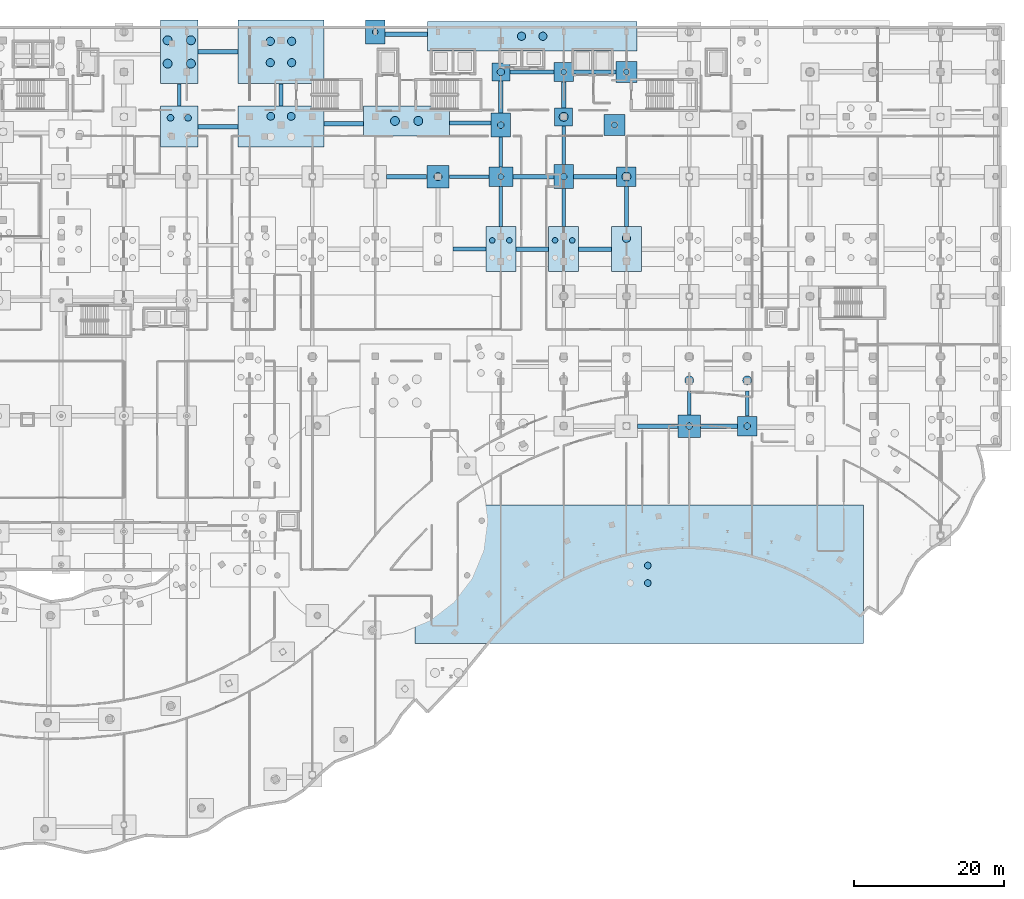
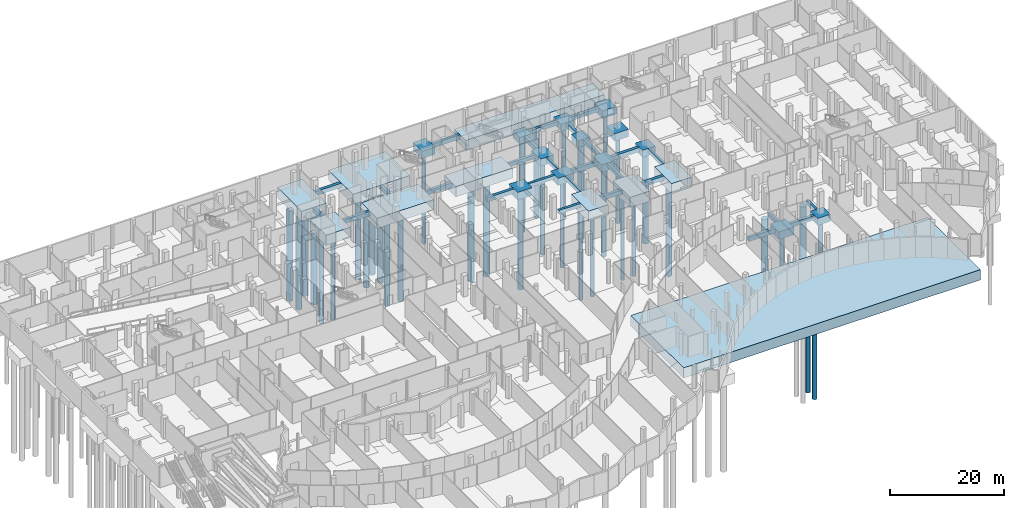
# One storey, part 6 of 45: 50 footings, 38 piles.
"""IFC4 building model written with IfcOpenShell, lengths in metres."""

from ifc_helpers import new_model, si_unit, direction, frame, origin, origin_2d, place, context, subcontext, project, spatial, rectangle, circle, extrude, material, material_profile, profile_set, type_object, element, save


model = new_model("IFC4")

# Units and contexts
model_context = context("Model", 3, precision=1e-05, world=origin(), true_north=direction((0.0, 1.0)))
body_context = subcontext(model_context, "Body", "Model", "MODEL_VIEW")
ifc_project = project(units=[si_unit("LENGTHUNIT", "METRE"), si_unit("AREAUNIT", "SQUARE_METRE"), si_unit("VOLUMEUNIT", "CUBIC_METRE"), si_unit("PLANEANGLEUNIT", "RADIAN"), si_unit("MASSUNIT", "GRAM", prefix="KILO")], contexts=[model_context])

# Site, building, storey
site_placement = place(None, origin())
site = spatial("IfcSite", under=ifc_project, at=site_placement, CompositionType="ELEMENT")
building_placement = place(site_placement, origin())
building = spatial("IfcBuilding", under=site, at=building_placement, Name="Selatvlak General Hospital", CompositionType="ELEMENT")
storey_placement = place(building_placement, frame((0.0, 0.0, -4.800048828125)))
storey = spatial("IfcBuildingStorey", under=building, at=storey_placement, Name="B1", CompositionType="ELEMENT", Elevation=-4.800048828125)

# Footings
ifc_material_1 = material(Name="Concrete C40/50", Category="concrete")
footing_type_1 = type_object("IfcFootingType", Name="FTG-PC-01", PredefinedType="PILE_CAP", material=ifc_material_1)
for number, where, z_axis, x_axis, name in (
    (1, (115.199951171875, 114.0, -1.39990234375), (0.0, 0.0, 1.0), (1.0, 0.0, 0.0), "Pile cap CAP-126"),
    (2, (123.60009765625, 108.0, -1.39990234375), (0.0, 0.0, 1.0), (1.0, 0.0, 0.0), "Pile cap CAP-132"),
):
    element("IfcFooting", number, at=place(storey_placement, frame(where, z_axis=z_axis, x_axis=x_axis)), inside=storey, type_object=footing_type_1, Name=name, PredefinedType="PILE_CAP", context=body_context, shape_type="SweptSolid", body=[
        extrude(rectangle(XDim=2.39990234375, YDim=2.39990234375, at=origin_2d()), origin(), (0.0, 0.0, 1.0), 1.39990234375),
    ])
footing_type_2 = type_object("IfcFootingType", Name="FTG-PC-02", PredefinedType="PILE_CAP", material=ifc_material_1)
for number, where, z_axis, x_axis, name in (
    (3, (123.60009765625, 114.0, -1.5), (0.0, 0.0, 1.0), (1.0, 0.0, 0.0), "Pile cap CAP-133"),
    (4, (132.0, 100.0, -1.5), (0.0, 0.0, 1.0), (1.0, 0.0, 0.0), "Pile cap CAP-139"),
    (5, (148.14990234375, 66.64990234375, -1.5), (0.0, 0.0, 1.0), (1.0, 0.0, 0.0), "Pile cap CAP-151"),
):
    element("IfcFooting", number, at=place(storey_placement, frame(where, z_axis=z_axis, x_axis=x_axis)), inside=storey, type_object=footing_type_2, Name=name, PredefinedType="PILE_CAP", context=body_context, shape_type="SweptSolid", body=[
        extrude(rectangle(XDim=2.60009765625, YDim=2.60009765625, at=origin_2d()), origin(), (0.0, 0.0, 1.0), 1.5),
    ])
footing_type_3 = type_object("IfcFootingType", Name="FTG-PC-03", PredefinedType="PILE_CAP", material=ifc_material_1)
for number, where, z_axis, x_axis, name in (
    (6, (130.39990234375, 106.89990234375, -1.60009765625), (0.0, 0.0, 1.0), (1.0, 0.0, 0.0), "Pile cap CAP-134"),
    (7, (132.0, 114.0, -1.60009765625), (0.0, 0.0, 1.0), (1.0, 0.0, 0.0), "Pile cap CAP-140"),
):
    element("IfcFooting", number, at=place(storey_placement, frame(where, z_axis=z_axis, x_axis=x_axis)), inside=storey, type_object=footing_type_3, Name=name, PredefinedType="PILE_CAP", context=body_context, shape_type="SweptSolid", body=[
        extrude(rectangle(XDim=2.800048828125, YDim=2.800048828125, at=origin_2d()), origin(), (0.0, 0.0, 1.0), 1.60009765625),
    ])
footing_type_4 = type_object("IfcFootingType", Name="FTG-PC-04", PredefinedType="PILE_CAP", material=ifc_material_1)
for number, where, z_axis, x_axis, name in (
    (8, (106.800048828125, 100.0, -1.64990234375), (0.0, 0.0, 1.0), (1.0, 0.0, 0.0), "Pile cap CAP-117"),
    (9, (140.39990234375, 66.64990234375, -1.64990234375), (0.0, 0.0, 1.0), (1.0, 0.0, 0.0), "Pile cap CAP-141"),
):
    element("IfcFooting", number, at=place(storey_placement, frame(where, z_axis=z_axis, x_axis=x_axis)), inside=storey, type_object=footing_type_4, Name=name, PredefinedType="PILE_CAP", context=body_context, shape_type="SweptSolid", body=[
        extrude(rectangle(XDim=3.0, YDim=3.0, at=origin_2d()), origin(), (0.0, 0.0, 1.0), 1.64990234375),
    ])
footing_type_5 = type_object("IfcFootingType", Name="FTG-PC-05", PredefinedType="PILE_CAP", material=ifc_material_1)
footing_1_placement = place(storey_placement, frame((115.199951171875, 100.0, -1.5498046875), z_axis=(0.0, 0.0, 1.0), x_axis=(1.0, 0.0, 0.0)))
element("IfcFooting", 10, at=footing_1_placement, inside=storey, type_object=footing_type_5, Name="Pile cap CAP-124", PredefinedType="PILE_CAP", context=body_context, shape_type="SweptSolid", body=[
    extrude(rectangle(XDim=3.199951171875, YDim=2.60009765625, at=origin_2d()), origin(), (0.0, 0.0, 1.0), 1.550048828125),
])
footing_type_6 = type_object("IfcFootingType", Name="FTG-PC-06", PredefinedType="PILE_CAP", material=ifc_material_1)
for number, where, z_axis, x_axis, name in (
    (11, (98.39990234375, 119.35009765625, -1.5498046875), (0.0, 0.0, 1.0), (1.0, 0.0, 0.0), "Pile cap CAP-113"),
    (12, (115.199951171875, 106.89990234375, -1.5498046875), (0.0, 0.0, 1.0), (1.0, 0.0, 0.0), "Pile cap CAP-125"),
    (13, (123.60009765625, 100.0, -1.5498046875), (0.0, 0.0, 1.0), (1.0, 0.0, 0.0), "Pile cap CAP-131"),
):
    element("IfcFooting", number, at=place(storey_placement, frame(where, z_axis=z_axis, x_axis=x_axis)), inside=storey, type_object=footing_type_6, Name=name, PredefinedType="PILE_CAP", context=body_context, shape_type="SweptSolid", body=[
        extrude(rectangle(XDim=2.60009765625, YDim=3.199951171875, at=origin_2d()), origin(), (0.0, 0.0, 1.0), 1.550048828125),
    ])
footing_type_7 = type_object("IfcFootingType", Name="FTG-PC-20", PredefinedType="PILE_CAP", material=ifc_material_1)
for number, where, z_axis, x_axis, name in (
    (14, (115.199951171875, 90.324951171875, -2.19970703125), (0.0, 0.0, 1.0), (1.0, 0.0, 0.0), "Pile cap CAP-123"),
    (15, (123.60009765625, 90.324951171875, -2.19970703125), (0.0, 0.0, 1.0), (1.0, 0.0, 0.0), "Pile cap CAP-130"),
    (16, (132.0, 90.324951171875, -2.19970703125), (0.0, 0.0, 1.0), (1.0, 0.0, 0.0), "Pile cap CAP-138"),
):
    element("IfcFooting", number, at=place(storey_placement, frame(where, z_axis=z_axis, x_axis=x_axis)), inside=storey, type_object=footing_type_7, Name=name, PredefinedType="PILE_CAP", context=body_context, shape_type="SweptSolid", body=[
        extrude(rectangle(XDim=4.0, YDim=6.0, at=origin_2d()), origin(), (0.0, 0.0, 1.0), 2.199951171875),
    ])
footing_type_8 = type_object("IfcFootingType", Name="FTG-PC-M112", PredefinedType="PILE_CAP", material=ifc_material_1)
footing_2_placement = place(storey_placement, frame((102.60009765625, 107.449951171875, -2.19970703125), z_axis=(0.0, 0.0, 1.0), x_axis=(1.0, 0.0, 0.0)))
element("IfcFooting", 17, at=footing_2_placement, inside=storey, type_object=footing_type_8, Name="Pile cap CAP-112", PredefinedType="PILE_CAP", context=body_context, shape_type="SweptSolid", body=[
    extrude(rectangle(XDim=11.5, YDim=4.0, at=origin_2d()), origin(), (0.0, 0.0, 1.0), 2.199951171875),
])
footing_type_9 = type_object("IfcFootingType", Name="FTG-PC-M115", PredefinedType="PILE_CAP", material=ifc_material_1)
footing_3_placement = place(storey_placement, frame((133.69189453125, 46.825927734375, -2.19970703125), z_axis=(0.0, 0.0, 1.0), x_axis=(1.0, 0.0, 0.0)))
element("IfcFooting", 18, at=footing_3_placement, inside=storey, type_object=footing_type_9, Name="Pile cap CAP-115", PredefinedType="PILE_CAP", context=body_context, shape_type="SweptSolid", body=[
    extrude(rectangle(XDim=60.0, YDim=18.5, at=origin_2d()), origin(), (0.0, 0.0, 1.0), 2.199951171875),
])
footing_type_10 = type_object("IfcFootingType", Name="FTG-PC-M118", PredefinedType="PILE_CAP", material=ifc_material_1)
footing_4_placement = place(storey_placement, frame((119.39990234375, 118.77490234375, -2.19970703125), z_axis=(0.0, 0.0, 1.0), x_axis=(1.0, 0.0, 0.0)))
element("IfcFooting", 19, at=footing_4_placement, inside=storey, type_object=footing_type_10, Name="Pile cap CAP-118", PredefinedType="PILE_CAP", context=body_context, shape_type="SweptSolid", body=[
    extrude(rectangle(XDim=28.0, YDim=4.0, at=origin_2d()), origin(), (0.0, 0.0, 1.0), 2.199951171875),
])
footing_type_11 = type_object("IfcFootingType", Name="FTG-PC-M81", PredefinedType="PILE_CAP", material=ifc_material_1)
footing_5_placement = place(storey_placement, frame((72.199951171875, 106.699951171875, -2.19970703125), z_axis=(0.0, 0.0, 1.0), x_axis=(1.0, 0.0, 0.0)))
element("IfcFooting", 20, at=footing_5_placement, inside=storey, type_object=footing_type_11, Name="Pile cap CAP-081", PredefinedType="PILE_CAP", context=body_context, shape_type="SweptSolid", body=[
    extrude(rectangle(XDim=5.0, YDim=5.5, at=origin_2d()), origin(), (0.0, 0.0, 1.0), 2.199951171875),
])
footing_type_12 = type_object("IfcFootingType", Name="FTG-PC-M82", PredefinedType="PILE_CAP", material=ifc_material_1)
footing_6_placement = place(storey_placement, frame((72.199951171875, 116.675048828125, -2.19970703125), z_axis=(0.0, 0.0, 1.0), x_axis=(1.0, 0.0, 0.0)))
element("IfcFooting", 21, at=footing_6_placement, inside=storey, type_object=footing_type_12, Name="Pile cap CAP-082", PredefinedType="PILE_CAP", context=body_context, shape_type="SweptSolid", body=[
    extrude(rectangle(XDim=5.0, YDim=8.5, at=origin_2d()), origin(), (0.0, 0.0, 1.0), 2.199951171875),
])
footing_type_13 = type_object("IfcFootingType", Name="FTG-PC-M97", PredefinedType="PILE_CAP", material=ifc_material_1)
footing_7_placement = place(storey_placement, frame((85.800048828125, 106.699951171875, -2.19970703125), z_axis=(0.0, 0.0, 1.0), x_axis=(1.0, 0.0, 0.0)))
element("IfcFooting", 22, at=footing_7_placement, inside=storey, type_object=footing_type_13, Name="Pile cap CAP-097", PredefinedType="PILE_CAP", context=body_context, shape_type="SweptSolid", body=[
    extrude(rectangle(XDim=11.5, YDim=5.5, at=origin_2d()), origin(), (0.0, 0.0, 1.0), 2.199951171875),
])
footing_type_14 = type_object("IfcFootingType", Name="FTG-PC-M98", PredefinedType="PILE_CAP", material=ifc_material_1)
footing_8_placement = place(storey_placement, frame((85.800048828125, 116.675048828125, -2.19970703125), z_axis=(0.0, 0.0, 1.0), x_axis=(1.0, 0.0, 0.0)))
element("IfcFooting", 23, at=footing_8_placement, inside=storey, type_object=footing_type_14, Name="Pile cap CAP-098", PredefinedType="PILE_CAP", context=body_context, shape_type="SweptSolid", body=[
    extrude(rectangle(XDim=11.5, YDim=8.5, at=origin_2d()), origin(), (0.0, 0.0, 1.0), 2.199951171875),
])
ifc_material_2 = material(Name="Concrete C35/45", Category="concrete")
footing_type_15 = type_object("IfcFootingType", Name="FTG-TB-08", PredefinedType="FOOTING_BEAM", material=ifc_material_2)
footing_9_placement = place(storey_placement, frame((115.199951171875, 103.300048828125, -0.7998046875), z_axis=(0.0, 0.0, 1.0), x_axis=(0.0, 1.0, 0.0)))
element("IfcFooting", 24, at=footing_9_placement, inside=storey, type_object=footing_type_15, Name="Foundation tie beam TBF-126", PredefinedType="FOOTING_BEAM", context=body_context, shape_type="SweptSolid", body=[
    extrude(rectangle(XDim=3.97998046875, YDim=0.5, at=origin_2d()), origin(), (0.0, 0.0, 1.0), 0.800048828125),
])
footing_type_16 = type_object("IfcFootingType", Name="FTG-TB-13", PredefinedType="FOOTING_BEAM", material=ifc_material_2)
footing_10_placement = place(storey_placement, frame((115.199951171875, 110.64990234375, -0.89990234375), z_axis=(0.0, 0.0, 1.0), x_axis=(0.0, 1.0, 0.0)))
element("IfcFooting", 25, at=footing_10_placement, inside=storey, type_object=footing_type_16, Name="Foundation tie beam TBF-127", PredefinedType="FOOTING_BEAM", context=body_context, shape_type="SweptSolid", body=[
    extrude(rectangle(XDim=4.280029296875, YDim=0.60009765625, at=origin_2d()), origin(), (0.0, 0.0, 1.0), 0.89990234375),
])
footing_type_17 = type_object("IfcFootingType", Name="FTG-TB-18", PredefinedType="FOOTING_BEAM", material=ifc_material_2)
for number, where, z_axis, x_axis, name in (
    (26, (115.199951171875, 96.012939453125, -0.7998046875), (0.0, 0.0, 1.0), (0.0, 1.0, 0.0), "Foundation tie beam TBF-124"),
    (27, (132.0, 96.012939453125, -0.7998046875), (0.0, 0.0, 1.0), (0.0, 1.0, 0.0), "Foundation tie beam TBF-148"),
):
    element("IfcFooting", number, at=place(storey_placement, frame(where, z_axis=z_axis, x_axis=x_axis)), inside=storey, type_object=footing_type_17, Name=name, PredefinedType="FOOTING_BEAM", context=body_context, shape_type="SweptSolid", body=[
        extrude(rectangle(XDim=5.35498046875, YDim=0.5, at=origin_2d()), origin(), (0.0, 0.0, 1.0), 0.800048828125),
    ])
footing_type_18 = type_object("IfcFootingType", Name="FTG-TB-30", PredefinedType="FOOTING_BEAM", material=ifc_material_2)
for number, where, z_axis, x_axis, name in (
    (28, (77.375, 106.699951171875, -0.89990234375), (0.0, 0.0, 1.0), (1.0, 0.0, 0.0), "Foundation tie beam TBF-091"),
    (29, (77.375, 116.675048828125, -0.89990234375), (0.0, 0.0, 1.0), (1.0, 0.0, 0.0), "Foundation tie beam TBF-093"),
):
    element("IfcFooting", number, at=place(storey_placement, frame(where, z_axis=z_axis, x_axis=x_axis)), inside=storey, type_object=footing_type_18, Name=name, PredefinedType="FOOTING_BEAM", context=body_context, shape_type="SweptSolid", body=[
        extrude(rectangle(XDim=5.330078125, YDim=0.60009765625, at=origin_2d()), origin(), (0.0, 0.0, 1.0), 0.89990234375),
    ])
footing_type_19 = type_object("IfcFootingType", Name="FTG-TB-43", PredefinedType="FOOTING_BEAM", material=ifc_material_2)
footing_11_placement = place(storey_placement, frame((102.550048828125, 119.06201171875, -0.89990234375), z_axis=(0.0, 0.0, 1.0), x_axis=(1.0, 0.0, 0.0)))
element("IfcFooting", 30, at=footing_11_placement, inside=storey, type_object=footing_type_19, Name="Foundation tie beam TBF-117", PredefinedType="FOOTING_BEAM", context=body_context, shape_type="SweptSolid", body=[
    extrude(rectangle(XDim=5.679931640625, YDim=0.60009765625, at=origin_2d()), origin(), (0.0, 0.0, 1.0), 0.89990234375),
])
footing_type_20 = type_object("IfcFootingType", Name="FTG-TB-45", PredefinedType="FOOTING_BEAM", material=ifc_material_2)
footing_12_placement = place(storey_placement, frame((119.550048828125, 100.0, -0.89990234375), z_axis=(0.0, 0.0, 1.0), x_axis=(1.0, 0.0, 0.0)))
element("IfcFooting", 31, at=footing_12_placement, inside=storey, type_object=footing_type_20, Name="Foundation tie beam TBF-125", PredefinedType="FOOTING_BEAM", context=body_context, shape_type="SweptSolid", body=[
    extrude(rectangle(XDim=5.47998046875, YDim=0.60009765625, at=origin_2d()), origin(), (0.0, 0.0, 1.0), 0.89990234375),
])
footing_type_21 = type_object("IfcFootingType", Name="FTG-TB-47", PredefinedType="FOOTING_BEAM", material=ifc_material_2)
footing_13_placement = place(storey_placement, frame((94.199951171875, 107.074951171875, -0.89990234375), z_axis=(0.0, 0.0, 1.0), x_axis=(1.0, 0.0, 0.0)))
element("IfcFooting", 32, at=footing_13_placement, inside=storey, type_object=footing_type_21, Name="Foundation tie beam TBF-105", PredefinedType="FOOTING_BEAM", context=body_context, shape_type="SweptSolid", body=[
    extrude(rectangle(XDim=5.280029296875, YDim=0.60009765625, at=origin_2d()), origin(), (0.0, 0.0, 1.0), 0.89990234375),
])
footing_type_22 = type_object("IfcFootingType", Name="FTG-TB-54", PredefinedType="FOOTING_BEAM", material=ifc_material_2)
footing_14_placement = place(storey_placement, frame((144.375, 66.64990234375, -0.89990234375), z_axis=(0.0, 0.0, 1.0), x_axis=(1.0, 0.0, 0.0)))
element("IfcFooting", 33, at=footing_14_placement, inside=storey, type_object=footing_type_22, Name="Foundation tie beam TBF-151", PredefinedType="FOOTING_BEAM", context=body_context, shape_type="SweptSolid", body=[
    extrude(rectangle(XDim=4.929931640625, YDim=0.60009765625, at=origin_2d()), origin(), (0.0, 0.0, 1.0), 0.89990234375),
])
footing_type_23 = type_object("IfcFootingType", Name="FTG-TB-60", PredefinedType="FOOTING_BEAM", material=ifc_material_2)
footing_15_placement = place(storey_placement, frame((127.800048828125, 100.0, -0.89990234375), z_axis=(0.0, 0.0, 1.0), x_axis=(1.0, 0.0, 0.0)))
element("IfcFooting", 34, at=footing_15_placement, inside=storey, type_object=footing_type_23, Name="Foundation tie beam TBF-137", PredefinedType="FOOTING_BEAM", context=body_context, shape_type="SweptSolid", body=[
    extrude(rectangle(XDim=5.780029296875, YDim=0.60009765625, at=origin_2d()), origin(), (0.0, 0.0, 1.0), 0.89990234375),
])
footing_type_24 = type_object("IfcFootingType", Name="FTG-TB-68", PredefinedType="FOOTING_BEAM", material=ifc_material_2)
for number, where, z_axis, x_axis, name in (
    (35, (102.60009765625, 100.0, -0.89990234375), (0.0, 0.0, 1.0), (1.0, 0.0, 0.0), "Foundation tie beam TBF-115"),
    (36, (136.199951171875, 66.64990234375, -0.89990234375), (0.0, 0.0, 1.0), (1.0, 0.0, 0.0), "Foundation tie beam TBF-141"),
):
    element("IfcFooting", number, at=place(storey_placement, frame(where, z_axis=z_axis, x_axis=x_axis)), inside=storey, type_object=footing_type_24, Name=name, PredefinedType="FOOTING_BEAM", context=body_context, shape_type="SweptSolid", body=[
        extrude(rectangle(XDim=5.3798828125, YDim=0.60009765625, at=origin_2d()), origin(), (0.0, 0.0, 1.0), 0.89990234375),
    ])
footing_type_25 = type_object("IfcFootingType", Name="FTG-TB-69", PredefinedType="FOOTING_BEAM", material=ifc_material_2)
footing_16_placement = place(storey_placement, frame((123.60009765625, 104.199951171875, -0.7998046875), z_axis=(0.0, 0.0, 1.0), x_axis=(0.0, 1.0, 0.0)))
element("IfcFooting", 37, at=footing_16_placement, inside=storey, type_object=footing_type_25, Name="Foundation tie beam TBF-138", PredefinedType="FOOTING_BEAM", context=body_context, shape_type="SweptSolid", body=[
    extrude(rectangle(XDim=5.179931640625, YDim=0.5, at=origin_2d()), origin(), (0.0, 0.0, 1.0), 0.800048828125),
])
footing_type_26 = type_object("IfcFootingType", Name="FTG-TB-71", PredefinedType="FOOTING_BEAM", material=ifc_material_2)
for number, where, z_axis, x_axis, name in (
    (38, (72.199951171875, 110.93798828125, -0.7998046875), (0.0, 0.0, 1.0), (0.0, 1.0, 0.0), "Foundation tie beam TBF-092"),
    (39, (85.800048828125, 110.93798828125, -0.7998046875), (0.0, 0.0, 1.0), (0.0, 1.0, 0.0), "Foundation tie beam TBF-106"),
):
    element("IfcFooting", number, at=place(storey_placement, frame(where, z_axis=z_axis, x_axis=x_axis)), inside=storey, type_object=footing_type_26, Name=name, PredefinedType="FOOTING_BEAM", context=body_context, shape_type="SweptSolid", body=[
        extrude(rectangle(XDim=2.955078125, YDim=0.5, at=origin_2d()), origin(), (0.0, 0.0, 1.0), 0.800048828125),
    ])
footing_type_27 = type_object("IfcFootingType", Name="FTG-TB-75", PredefinedType="FOOTING_BEAM", material=ifc_material_2)
for number, where, z_axis, x_axis, name in (
    (40, (119.39990234375, 90.324951171875, -0.89990234375), (0.0, 0.0, 1.0), (1.0, 0.0, 0.0), "Foundation tie beam TBF-123"),
    (41, (127.800048828125, 90.324951171875, -0.89990234375), (0.0, 0.0, 1.0), (1.0, 0.0, 0.0), "Foundation tie beam TBF-135"),
):
    element("IfcFooting", number, at=place(storey_placement, frame(where, z_axis=z_axis, x_axis=x_axis)), inside=storey, type_object=footing_type_27, Name=name, PredefinedType="FOOTING_BEAM", context=body_context, shape_type="SweptSolid", body=[
        extrude(rectangle(XDim=4.3798828125, YDim=0.60009765625, at=origin_2d()), origin(), (0.0, 0.0, 1.0), 0.89990234375),
    ])
footing_type_28 = type_object("IfcFootingType", Name="FTG-TB-81", PredefinedType="FOOTING_BEAM", material=ifc_material_2)
footing_17_placement = place(storey_placement, frame((111.125, 107.175048828125, -0.7998046875), z_axis=(0.0, 0.0, 1.0), x_axis=(1.0, 0.0, 0.0)))
element("IfcFooting", 42, at=footing_17_placement, inside=storey, type_object=footing_type_28, Name="Foundation tie beam TBF-116", PredefinedType="FOOTING_BEAM", context=body_context, shape_type="SweptSolid", body=[
    extrude(rectangle(XDim=5.530029296875, YDim=0.5, at=origin_2d()), origin(), (0.0, 0.0, 1.0), 0.800048828125),
])
footing_type_29 = type_object("IfcFootingType", Name="FTG-TB-82", PredefinedType="FOOTING_BEAM", material=ifc_material_2)
footing_18_placement = place(storey_placement, frame((111.0, 90.324951171875, -0.7998046875), z_axis=(0.0, 0.0, 1.0), x_axis=(1.0, 0.0, 0.0)))
element("IfcFooting", 43, at=footing_18_placement, inside=storey, type_object=footing_type_29, Name="Foundation tie beam TBF-118", PredefinedType="FOOTING_BEAM", context=body_context, shape_type="SweptSolid", body=[
    extrude(rectangle(XDim=4.3798828125, YDim=0.5, at=origin_2d()), origin(), (0.0, 0.0, 1.0), 0.800048828125),
])
footing_type_30 = type_object("IfcFootingType", Name="FTG-TB-84", PredefinedType="FOOTING_BEAM", material=ifc_material_2)
footing_19_placement = place(storey_placement, frame((110.949951171875, 100.0, -0.7998046875), z_axis=(0.0, 0.0, 1.0), x_axis=(1.0, 0.0, 0.0)))
element("IfcFooting", 44, at=footing_19_placement, inside=storey, type_object=footing_type_30, Name="Foundation tie beam TBF-120", PredefinedType="FOOTING_BEAM", context=body_context, shape_type="SweptSolid", body=[
    extrude(rectangle(XDim=5.280029296875, YDim=0.5, at=origin_2d()), origin(), (0.0, 0.0, 1.0), 0.800048828125),
])
footing_type_31 = type_object("IfcFootingType", Name="FTG-TB-86", PredefinedType="FOOTING_BEAM", material=ifc_material_2)
footing_20_placement = place(storey_placement, frame((119.35009765625, 114.0, -0.7998046875), z_axis=(0.0, 0.0, 1.0), x_axis=(1.0, 0.0, 0.0)))
element("IfcFooting", 45, at=footing_20_placement, inside=storey, type_object=footing_type_31, Name="Foundation tie beam TBF-128", PredefinedType="FOOTING_BEAM", context=body_context, shape_type="SweptSolid", body=[
    extrude(rectangle(XDim=5.8798828125, YDim=0.5, at=origin_2d()), origin(), (0.0, 0.0, 1.0), 0.800048828125),
])
footing_type_32 = type_object("IfcFootingType", Name="FTG-TB-87", PredefinedType="FOOTING_BEAM", material=ifc_material_2)
footing_21_placement = place(storey_placement, frame((148.14990234375, 69.637939453125, -0.7998046875), z_axis=(0.0, 0.0, 1.0), x_axis=(0.0, 1.0, 0.0)))
element("IfcFooting", 46, at=footing_21_placement, inside=storey, type_object=footing_type_32, Name="Foundation tie beam TBF-164", PredefinedType="FOOTING_BEAM", context=body_context, shape_type="SweptSolid", body=[
    extrude(rectangle(XDim=3.35498046875, YDim=0.5, at=origin_2d()), origin(), (0.0, 0.0, 1.0), 0.800048828125),
])
footing_type_33 = type_object("IfcFootingType", Name="FTG-TB-89", PredefinedType="FOOTING_BEAM", material=ifc_material_2)
footing_22_placement = place(storey_placement, frame((123.60009765625, 95.863037109375, -0.7998046875), z_axis=(0.0, 0.0, 1.0), x_axis=(0.0, 1.0, 0.0)))
element("IfcFooting", 47, at=footing_22_placement, inside=storey, type_object=footing_type_33, Name="Foundation tie beam TBF-136", PredefinedType="FOOTING_BEAM", context=body_context, shape_type="SweptSolid", body=[
    extrude(rectangle(XDim=5.054931640625, YDim=0.5, at=origin_2d()), origin(), (0.0, 0.0, 1.0), 0.800048828125),
])
footing_type_34 = type_object("IfcFootingType", Name="FTG-TB-90", PredefinedType="FOOTING_BEAM", material=ifc_material_2)
footing_23_placement = place(storey_placement, frame((123.60009765625, 110.949951171875, -0.89990234375), z_axis=(0.0, 0.0, 1.0), x_axis=(0.0, 1.0, 0.0)))
element("IfcFooting", 48, at=footing_23_placement, inside=storey, type_object=footing_type_34, Name="Foundation tie beam TBF-139", PredefinedType="FOOTING_BEAM", context=body_context, shape_type="SweptSolid", body=[
    extrude(rectangle(XDim=3.47998046875, YDim=0.60009765625, at=origin_2d()), origin(), (0.0, 0.0, 1.0), 0.89990234375),
])
footing_type_35 = type_object("IfcFootingType", Name="FTG-TB-91", PredefinedType="FOOTING_BEAM", material=ifc_material_2)
footing_24_placement = place(storey_placement, frame((127.75, 114.0, -0.7998046875), z_axis=(0.0, 0.0, 1.0), x_axis=(1.0, 0.0, 0.0)))
element("IfcFooting", 49, at=footing_24_placement, inside=storey, type_object=footing_type_35, Name="Foundation tie beam TBF-140", PredefinedType="FOOTING_BEAM", context=body_context, shape_type="SweptSolid", body=[
    extrude(rectangle(XDim=5.679931640625, YDim=0.5, at=origin_2d()), origin(), (0.0, 0.0, 1.0), 0.800048828125),
])
footing_type_36 = type_object("IfcFootingType", Name="FTG-TB-92", PredefinedType="FOOTING_BEAM", material=ifc_material_2)
footing_25_placement = place(storey_placement, frame((140.39990234375, 69.738037109375, -0.7998046875), z_axis=(0.0, 0.0, 1.0), x_axis=(0.0, 1.0, 0.0)))
element("IfcFooting", 50, at=footing_25_placement, inside=storey, type_object=footing_type_36, Name="Foundation tie beam TBF-152", PredefinedType="FOOTING_BEAM", context=body_context, shape_type="SweptSolid", body=[
    extrude(rectangle(XDim=3.155029296875, YDim=0.5, at=origin_2d()), origin(), (0.0, 0.0, 1.0), 0.800048828125),
])

# Piles
ifc_material_profile_1 = material_profile(ifc_material_1, circle(Radius=0.375, at=origin_2d()), Name="BORED PILE 750")
ifc_profile_set_1 = profile_set([ifc_material_profile_1], Name="Concrete C40/50")
pile_type_1 = type_object("IfcPileType", Name="PILE-BP-01", PredefinedType="BORED", material=ifc_profile_set_1)
for number, where, z_axis, x_axis, name in (
    (51, (122.449951171875, 91.47509765625, -2.099853515625), (0.0, 0.0, -1.0), (1.0, 0.0, 0.0), "Bored pile PLF-0250"),
    (52, (124.75, 91.47509765625, -2.099853515625), (0.0, 0.0, -1.0), (1.0, 0.0, 0.0), "Bored pile PLF-0252"),
    (53, (132.0, 114.0, -1.5), (0.0, 0.0, -1.0), (1.0, 0.0, 0.0), "Bored pile PLF-0264"),
):
    element("IfcPile", number, at=place(storey_placement, frame(where, z_axis=z_axis, x_axis=x_axis)), inside=storey, type_object=pile_type_1, Name=name, PredefinedType="BORED", context=body_context, shape_type="SweptSolid", body=[
        extrude(circle(Radius=0.375, at=origin_2d()), origin(), (0.0, 0.0, 1.0), 18.199951171875),
    ])
ifc_material_profile_2 = material_profile(ifc_material_1, circle(Radius=0.449951171875, at=origin_2d()), Name="BORED PILE 900")
ifc_profile_set_2 = profile_set([ifc_material_profile_2], Name="Concrete C40/50")
pile_type_2 = type_object("IfcPileType", Name="PILE-BP-02", PredefinedType="BORED", material=ifc_profile_set_2)
for number, where, z_axis, x_axis, name in (
    (54, (71.030029296875, 107.8701171875, -2.099853515625), (0.0, 0.0, -1.0), (1.0, 0.0, 0.0), "Bored pile PLF-0146"),
    (55, (73.3701171875, 107.8701171875, -2.099853515625), (0.0, 0.0, -1.0), (1.0, 0.0, 0.0), "Bored pile PLF-0148"),
    (56, (123.60009765625, 100.0, -1.449951171875), (0.0, 0.0, -1.0), (1.0, 0.0, 0.0), "Bored pile PLF-0253"),
    (57, (140.39990234375, 66.64990234375, -1.550048828125), (0.0, 0.0, -1.0), (1.0, 0.0, 0.0), "Bored pile PLF-0265"),
    (58, (148.14990234375, 66.64990234375, -1.39990234375), (0.0, 0.0, -1.0), (1.0, 0.0, 0.0), "Bored pile PLF-0282"),
):
    element("IfcPile", number, at=place(storey_placement, frame(where, z_axis=z_axis, x_axis=x_axis)), inside=storey, type_object=pile_type_2, Name=name, PredefinedType="BORED", context=body_context, shape_type="SweptSolid", body=[
        extrude(circle(Radius=0.449951171875, at=origin_2d()), origin(), (0.0, 0.0, 1.0), 19.39990234375),
    ])
ifc_material_profile_3 = material_profile(ifc_material_1, circle(Radius=0.60009765625, at=origin_2d()), Name="BORED PILE 1200")
ifc_profile_set_3 = profile_set([ifc_material_profile_3], Name="Concrete C40/50")
pile_type_3 = type_object("IfcPileType", Name="PILE-BP-03", PredefinedType="BORED", material=ifc_profile_set_3)
for number, where, z_axis, x_axis, name in (
    (59, (70.639892578125, 115.114990234375, -2.099853515625), (0.0, 0.0, -1.0), (1.0, 0.0, 0.0), "Bored pile PLF-0149"),
    (60, (70.639892578125, 118.235107421875, -2.099853515625), (0.0, 0.0, -1.0), (1.0, 0.0, 0.0), "Bored pile PLF-0150"),
    (61, (73.760009765625, 115.114990234375, -2.099853515625), (0.0, 0.0, -1.0), (1.0, 0.0, 0.0), "Bored pile PLF-0151"),
    (62, (73.760009765625, 118.235107421875, -2.099853515625), (0.0, 0.0, -1.0), (1.0, 0.0, 0.0), "Bored pile PLF-0152"),
    (63, (101.0400390625, 107.449951171875, -2.099853515625), (0.0, 0.0, -1.0), (1.0, 0.0, 0.0), "Bored pile PLF-0214"),
    (64, (104.159912109375, 107.449951171875, -2.099853515625), (0.0, 0.0, -1.0), (1.0, 0.0, 0.0), "Bored pile PLF-0215"),
    (65, (123.60009765625, 108.0, -1.300048828125), (0.0, 0.0, -1.0), (1.0, 0.0, 0.0), "Bored pile PLF-0254"),
    (66, (140.39990234375, 72.764892578125, -2.099853515625), (0.0, 0.0, -1.0), (1.0, 0.0, 0.0), "Bored pile PLF-0266"),
    (67, (148.14990234375, 72.764892578125, -2.099853515625), (0.0, 0.0, -1.0), (1.0, 0.0, 0.0), "Bored pile PLF-0283"),
):
    element("IfcPile", number, at=place(storey_placement, frame(where, z_axis=z_axis, x_axis=x_axis)), inside=storey, type_object=pile_type_3, Name=name, PredefinedType="BORED", context=body_context, shape_type="SweptSolid", body=[
        extrude(circle(Radius=0.60009765625, at=origin_2d()), origin(), (0.0, 0.0, 1.0), 20.60009765625),
    ])
ifc_material_profile_4 = material_profile(ifc_material_1, circle(Radius=0.375, at=origin_2d()), Name="BORED PILE 750")
ifc_profile_set_4 = profile_set([ifc_material_profile_4], Name="Concrete C40/50")
pile_type_4 = type_object("IfcPileType", Name="PILE-BP-04", PredefinedType="BORED", material=ifc_profile_set_4)
for number, where, z_axis, x_axis, name in (
    (68, (98.39990234375, 119.35009765625, -1.449951171875), (0.0, 0.0, -1.0), (1.0, 0.0, 0.0), "Bored pile PLF-0216"),
    (69, (114.050048828125, 91.47509765625, -2.099853515625), (0.0, 0.0, -1.0), (1.0, 0.0, 0.0), "Bored pile PLF-0239"),
    (70, (116.35009765625, 91.47509765625, -2.099853515625), (0.0, 0.0, -1.0), (1.0, 0.0, 0.0), "Bored pile PLF-0241"),
    (71, (123.60009765625, 114.0, -1.39990234375), (0.0, 0.0, -1.0), (1.0, 0.0, 0.0), "Bored pile PLF-0255"),
):
    element("IfcPile", number, at=place(storey_placement, frame(where, z_axis=z_axis, x_axis=x_axis)), inside=storey, type_object=pile_type_4, Name=name, PredefinedType="BORED", context=body_context, shape_type="SweptSolid", body=[
        extrude(circle(Radius=0.375, at=origin_2d()), origin(), (0.0, 0.0, 1.0), 19.60009765625),
    ])
ifc_material_profile_5 = material_profile(ifc_material_1, circle(Radius=0.39990234375, at=origin_2d()), Name="BORED PILE 800")
ifc_profile_set_5 = profile_set([ifc_material_profile_5], Name="Concrete C40/50")
pile_type_5 = type_object("IfcPileType", Name="PILE-BP-05", PredefinedType="BORED", material=ifc_profile_set_5)
for number, where, z_axis, x_axis, name in (
    (72, (115.199951171875, 100.0, -1.449951171875), (0.0, 0.0, -1.0), (1.0, 0.0, 0.0), "Bored pile PLF-0242"),
    (73, (130.39990234375, 106.89990234375, -1.5), (0.0, 0.0, -1.0), (1.0, 0.0, 0.0), "Bored pile PLF-0256"),
):
    element("IfcPile", number, at=place(storey_placement, frame(where, z_axis=z_axis, x_axis=x_axis)), inside=storey, type_object=pile_type_5, Name=name, PredefinedType="BORED", context=body_context, shape_type="SweptSolid", body=[
        extrude(circle(Radius=0.39990234375, at=origin_2d()), origin(), (0.0, 0.0, 1.0), 18.800048828125),
    ])
ifc_material_profile_6 = material_profile(ifc_material_1, circle(Radius=0.449951171875, at=origin_2d()), Name="BORED PILE 900")
ifc_profile_set_6 = profile_set([ifc_material_profile_6], Name="Concrete C40/50")
pile_type_6 = type_object("IfcPileType", Name="PILE-BP-06", PredefinedType="BORED", material=ifc_profile_set_6)
for number, where, z_axis, x_axis, name in (
    (74, (134.862060546875, 45.656005859375, -2.099853515625), (0.0, 0.0, -1.0), (1.0, 0.0, 0.0), "Bored pile PLF-0220"),
    (75, (134.862060546875, 47.99609375, -2.099853515625), (0.0, 0.0, -1.0), (1.0, 0.0, 0.0), "Bored pile PLF-0221"),
    (76, (115.199951171875, 106.89990234375, -1.449951171875), (0.0, 0.0, -1.0), (1.0, 0.0, 0.0), "Bored pile PLF-0243"),
):
    element("IfcPile", number, at=place(storey_placement, frame(where, z_axis=z_axis, x_axis=x_axis)), inside=storey, type_object=pile_type_6, Name=name, PredefinedType="BORED", context=body_context, shape_type="SweptSolid", body=[
        extrude(circle(Radius=0.449951171875, at=origin_2d()), origin(), (0.0, 0.0, 1.0), 20.199951171875),
    ])
ifc_material_profile_7 = material_profile(ifc_material_1, circle(Radius=0.5, at=origin_2d()), Name="BORED PILE 1000")
ifc_profile_set_7 = profile_set([ifc_material_profile_7], Name="Concrete C40/50")
pile_type_7 = type_object("IfcPileType", Name="PILE-BP-07", PredefinedType="BORED", material=ifc_profile_set_7)
pile_1_placement = place(storey_placement, frame((115.199951171875, 114.0, -1.300048828125), z_axis=(0.0, 0.0, -1.0), x_axis=(1.0, 0.0, 0.0)))
element("IfcPile", 77, at=pile_1_placement, inside=storey, type_object=pile_type_7, Name="Bored pile PLF-0244", PredefinedType="BORED", context=body_context, shape_type="SweptSolid", body=[
    extrude(circle(Radius=0.5, at=origin_2d()), origin(), (0.0, 0.0, 1.0), 19.800048828125),
])
ifc_material_profile_8 = material_profile(ifc_material_1, circle(Radius=0.52490234375, at=origin_2d()), Name="BORED PILE 1050")
ifc_profile_set_8 = profile_set([ifc_material_profile_8], Name="Concrete C40/50")
pile_type_8 = type_object("IfcPileType", Name="PILE-BP-08", PredefinedType="BORED", material=ifc_profile_set_8)
for number, where, z_axis, x_axis, name in (
    (78, (84.43505859375, 108.06494140625, -2.099853515625), (0.0, 0.0, -1.0), (1.0, 0.0, 0.0), "Bored pile PLF-0184"),
    (79, (87.1650390625, 108.06494140625, -2.099853515625), (0.0, 0.0, -1.0), (1.0, 0.0, 0.0), "Bored pile PLF-0186"),
    (80, (106.800048828125, 100.0, -1.550048828125), (0.0, 0.0, -1.0), (1.0, 0.0, 0.0), "Bored pile PLF-0224"),
):
    element("IfcPile", number, at=place(storey_placement, frame(where, z_axis=z_axis, x_axis=x_axis)), inside=storey, type_object=pile_type_8, Name=name, PredefinedType="BORED", context=body_context, shape_type="SweptSolid", body=[
        extrude(circle(Radius=0.52490234375, at=origin_2d()), origin(), (0.0, 0.0, 1.0), 20.39990234375),
    ])
ifc_material_profile_9 = material_profile(ifc_material_1, circle(Radius=0.550048828125, at=origin_2d()), Name="BORED PILE 1100")
ifc_profile_set_9 = profile_set([ifc_material_profile_9], Name="Concrete C40/50")
pile_type_9 = type_object("IfcPileType", Name="PILE-BP-09", PredefinedType="BORED", material=ifc_profile_set_9)
for number, where, z_axis, x_axis, name in (
    (81, (84.3701171875, 115.2451171875, -2.099853515625), (0.0, 0.0, -1.0), (1.0, 0.0, 0.0), "Bored pile PLF-0187"),
    (82, (84.3701171875, 118.10498046875, -2.099853515625), (0.0, 0.0, -1.0), (1.0, 0.0, 0.0), "Bored pile PLF-0188"),
    (83, (87.22998046875, 115.2451171875, -2.099853515625), (0.0, 0.0, -1.0), (1.0, 0.0, 0.0), "Bored pile PLF-0189"),
    (84, (87.22998046875, 118.10498046875, -2.099853515625), (0.0, 0.0, -1.0), (1.0, 0.0, 0.0), "Bored pile PLF-0190"),
    (85, (117.969970703125, 118.77490234375, -2.099853515625), (0.0, 0.0, -1.0), (1.0, 0.0, 0.0), "Bored pile PLF-0225"),
    (86, (120.830078125, 118.77490234375, -2.099853515625), (0.0, 0.0, -1.0), (1.0, 0.0, 0.0), "Bored pile PLF-0226"),
    (87, (132.0, 91.7548828125, -2.099853515625), (0.0, 0.0, -1.0), (1.0, 0.0, 0.0), "Bored pile PLF-0262"),
):
    element("IfcPile", number, at=place(storey_placement, frame(where, z_axis=z_axis, x_axis=x_axis)), inside=storey, type_object=pile_type_9, Name=name, PredefinedType="BORED", context=body_context, shape_type="SweptSolid", body=[
        extrude(circle(Radius=0.550048828125, at=origin_2d()), origin(), (0.0, 0.0, 1.0), 20.800048828125),
    ])
ifc_material_profile_10 = material_profile(ifc_material_1, circle(Radius=0.60009765625, at=origin_2d()), Name="BORED PILE 1200")
ifc_profile_set_10 = profile_set([ifc_material_profile_10], Name="Concrete C40/50")
pile_type_10 = type_object("IfcPileType", Name="PILE-BP-10", PredefinedType="BORED", material=ifc_profile_set_10)
pile_2_placement = place(storey_placement, frame((132.0, 100.0, -1.39990234375), z_axis=(0.0, 0.0, -1.0), x_axis=(1.0, 0.0, 0.0)))
element("IfcPile", 88, at=pile_2_placement, inside=storey, type_object=pile_type_10, Name="Bored pile PLF-0263", PredefinedType="BORED", context=body_context, shape_type="SweptSolid", body=[
    extrude(circle(Radius=0.60009765625, at=origin_2d()), origin(), (0.0, 0.0, 1.0), 19.5),
])

save(model, "model.ifc")
